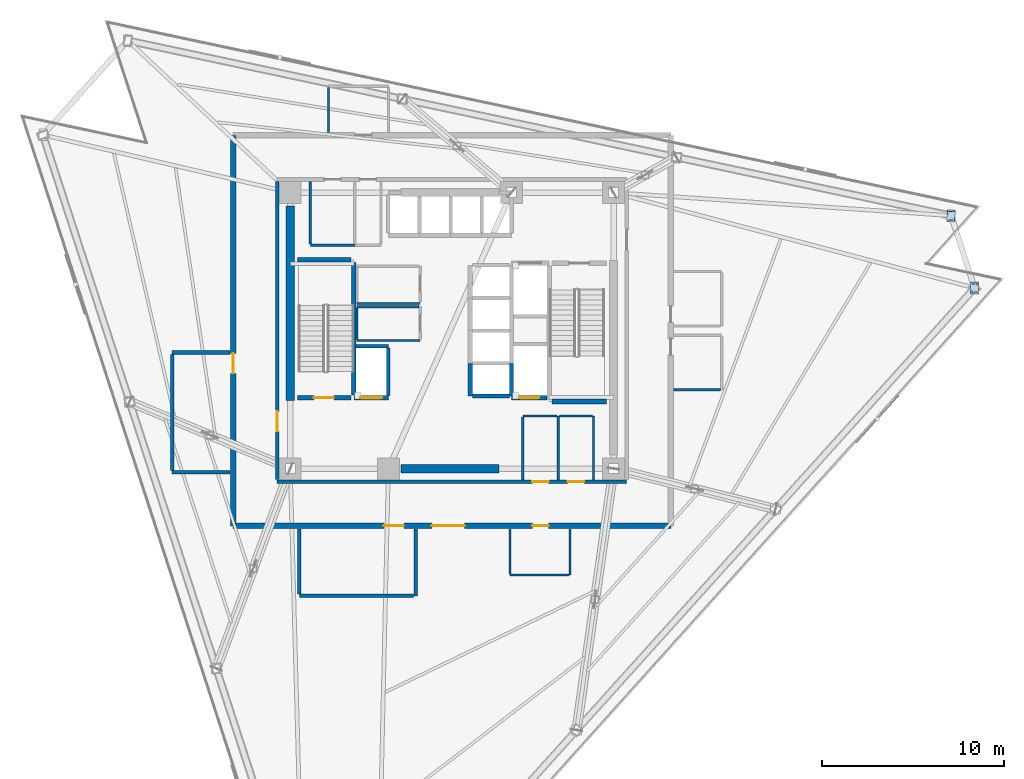
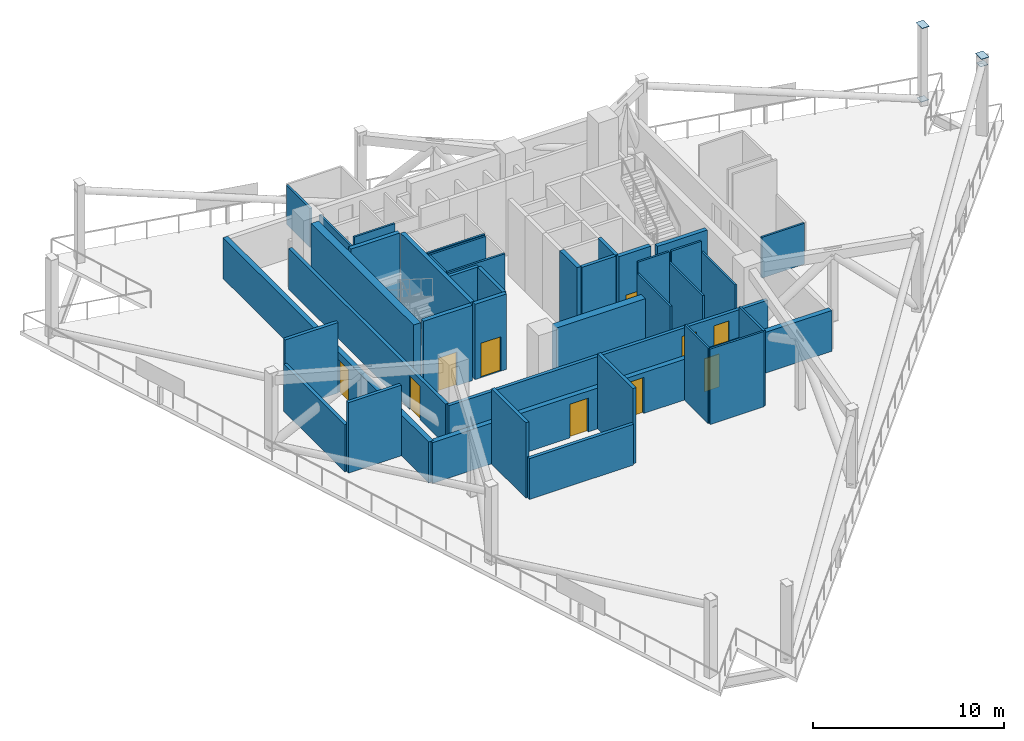
# One storey, part 7 of 15: 39 walls, 10 doors, 4 plates, 10 openings.
"""IFC4 building model written with IfcOpenShell, lengths in metres."""

from ifc_helpers import new_model, si_unit, direction, frame, frame_2d, origin, origin_2d, place, context, subcontext, project, spatial, rectangle, extrude, material, layer, layer_set, type_object, element, fill, save


model = new_model("IFC4")

# Units and contexts
model_context = context("Model", 3, precision=1e-05, world=origin(), true_north=direction((0.0, 1.0)))
body_context = subcontext(model_context, "Body", "Model", "MODEL_VIEW")
ifc_project = project(units=[si_unit("LENGTHUNIT", "METRE"), si_unit("AREAUNIT", "SQUARE_METRE"), si_unit("VOLUMEUNIT", "CUBIC_METRE"), si_unit("PLANEANGLEUNIT", "RADIAN"), si_unit("MASSUNIT", "GRAM", prefix="KILO")], contexts=[model_context])

# Site, building, storey
site_placement = place(None, origin())
site = spatial("IfcSite", under=ifc_project, at=site_placement, CompositionType="ELEMENT")
building_placement = place(site_placement, origin())
building = spatial("IfcBuilding", under=site, at=building_placement, Name="Tharavind Bronze Gate", CompositionType="ELEMENT")
storey_placement = place(building_placement, frame((0.0, 0.0, 222.050048828125)))
storey = spatial("IfcBuildingStorey", under=building, at=storey_placement, Name="L57", CompositionType="ELEMENT", Elevation=222.050048828125)

# Plates
ifc_material_1 = material(Name="Steel S460", Category="steel")
ifc_layer_1 = layer(ifc_material_1, 0.02490234375)
ifc_layer_set_1 = layer_set([ifc_layer_1], Name="Steel S460")
plate_type_1 = type_object("IfcPlateType", Name="STEEL END CAP SHEET 25", PredefinedType="SHEET", material=ifc_layer_set_1)
for number, where, z_axis, x_axis, name in (
    (1, (28.772705078125, 2.34716796875, 4.987548828125), (0.0, 0.0, 1.0), (1.0, 0.0, 0.0), "Steel end cap plate CAP-COLT-L57-S2C4"),
    (2, (27.478515625, 6.330078125, 4.987548828125), (0.0, 0.0, 1.0), (1.0, 0.0, 0.0), "Steel end cap plate CAP-COLT-L57-S3C1"),
):
    element("IfcPlate", number, at=place(storey_placement, frame(where, z_axis=z_axis, x_axis=x_axis)), inside=storey, type_object=plate_type_1, Name=name, PredefinedType="SHEET", context=body_context, shape_type="SweptSolid", body=[
        extrude(rectangle(XDim=0.445068359375, YDim=0.64501953125, at=origin_2d()), origin(), (0.0, 0.0, 1.0), 0.02490234375),
    ])
ifc_material_2 = material(Name="Steel S355", Category="steel")
ifc_layer_2 = layer(ifc_material_2, 0.02490234375)
ifc_layer_set_2 = layer_set([ifc_layer_2], Name="Steel S355")
plate_type_2 = type_object("IfcPlateType", Name="STEEL END CAP SHEET S355 25", PredefinedType="SHEET", material=ifc_layer_set_2)
for number, where, z_axis, x_axis, name in (
    (3, (28.772705078125, 2.34716796875, 4.447509765625), (0.0, 0.0, 1.0), (1.0, 0.0, 0.0), "Steel end cap plate CAP-L57-BLT2-3B"),
    (4, (27.478515625, 6.330078125, 0.237548828125), (0.0, 0.0, 1.0), (1.0, 0.0, 0.0), "Steel end cap plate CAP-L57-BLT3-1A"),
):
    element("IfcPlate", number, at=place(storey_placement, frame(where, z_axis=z_axis, x_axis=x_axis)), inside=storey, type_object=plate_type_2, Name=name, PredefinedType="SHEET", context=body_context, shape_type="SweptSolid", body=[
        extrude(rectangle(XDim=0.451416015625, YDim=0.451416015625, at=origin_2d()), origin(), (0.0, 0.0, 1.0), 0.02490234375),
    ])

# Wall, openings, doors
ifc_material_3 = material(Name="Concrete C40/50", Category="concrete")
ifc_layer_3 = layer(ifc_material_3, 0.300048828125)
ifc_layer_set_3 = layer_set([ifc_layer_3], Name="Concrete C40/50")
wall_type_1 = type_object("IfcWallType", Name="EXTERIOR SPANDREL WALL 300", PredefinedType="STANDARD", material=ifc_layer_set_3)
wall_1_placement = place(storey_placement, frame((-12.050048828125, -10.75, 0.0), z_axis=(0.0, 0.0, 1.0), x_axis=(1.0, 0.0, 0.0)))
wall_1 = element("IfcWall", 5, at=wall_1_placement, inside=storey, type_object=wall_type_1, Name="L57 open wind floor core enclosure wall 1", PredefinedType="STANDARD", context=body_context, shape_type="SweptSolid", body=[
    extrude(rectangle(XDim=24.10009765625, YDim=0.300048828125, at=frame_2d((12.050048828125, 0.0))), origin(), (0.0, 0.0, 1.0), 2.60498046875),
])
opening_1_placement = place(wall_1_placement, frame((10.949951171875, 0.0, 0.0)))
opening_1 = element("IfcOpeningElement", 6, at=opening_1_placement, cuts=wall_1, Name="Opening ED03", PredefinedType="OPENING", context=body_context, shape_type="SweptSolid", body=[
    extrude(rectangle(XDim=1.800048828125, YDim=2.300048828125, at=frame_2d((0.89990234375, 1.14990234375))), frame((0.0, 0.15990234375, 0.0), z_axis=(0.0, -1.0, 0.0), x_axis=(1.0, 0.0, 0.0)), (0.0, 0.0, 1.0), 0.320048828125),
])
opening_2_placement = place(wall_1_placement, frame((8.300048828125, 0.0, 0.0)))
opening_2 = element("IfcOpeningElement", 7, at=opening_2_placement, cuts=wall_1, Name="Opening ID01", PredefinedType="OPENING", context=body_context, shape_type="SweptSolid", body=[
    extrude(rectangle(XDim=1.10009765625, YDim=2.14990234375, at=frame_2d((0.550048828125, 1.074951171875))), frame((0.0, 0.15990234375, 0.0), z_axis=(0.0, -1.0, 0.0), x_axis=(1.0, 0.0, 0.0)), (0.0, 0.0, 1.0), 0.320048828125),
])
opening_3_placement = place(wall_1_placement, frame((16.47705078125, 0.0, 0.0)))
opening_3 = element("IfcOpeningElement", 8, at=opening_3_placement, cuts=wall_1, Name="Opening ID07", PredefinedType="OPENING", context=body_context, shape_type="SweptSolid", body=[
    extrude(rectangle(XDim=0.89990234375, YDim=2.10009765625, at=frame_2d((0.449951171875, 1.050048828125))), frame((0.0, 0.15990234375, 0.0), z_axis=(0.0, -1.0, 0.0), x_axis=(1.0, 0.0, 0.0)), (0.0, 0.0, 1.0), 0.320048828125),
])
ifc_material_4 = material(Name="Bronze Aluminium & Toughened Glass", Category="aluminium")
door_type_1 = type_object("IfcDoorType", Name="GLAZED TERRACE ACCESS DOOR 1800X2300", OperationType="DOUBLE_DOOR_SINGLE_SWING", PredefinedType="DOOR", material=ifc_material_4)
door_1_placement = place(opening_1_placement, frame((1.800048828125, 0.0, 0.0), z_axis=(0.0, 0.0, 1.0), x_axis=(-1.0, 0.0, 0.0)))
door_1 = element("IfcDoor", 9, at=door_1_placement, inside=storey, type_object=door_type_1, Name="L57 open wind terrace access door", OperationType="DOUBLE_DOOR_SINGLE_SWING", OverallHeight=2.300048828125, OverallWidth=1.800048828125, PredefinedType="DOOR", context=body_context, shape_type="SweptSolid", body=[
    extrude(rectangle(XDim=1.800048828125, YDim=2.300048828125, at=frame_2d((0.89990234375, 1.14990234375))), frame((0.0, 0.02490234375, 0.0), z_axis=(0.0, -1.0, 0.0), x_axis=(1.0, 0.0, 0.0)), (0.0, 0.0, 1.0), 0.050048828125),
])
fill(opening_1, door_1)
ifc_material_5 = material(Name="Galvanised Fire Steel", Category="steel")
door_type_2 = type_object("IfcDoorType", Name="PLANT AND RISER FIRE DOOR 900X2100", OperationType="SINGLE_SWING_LEFT", PredefinedType="DOOR", material=ifc_material_5)
door_2_placement = place(opening_3_placement, origin())
door_2 = element("IfcDoor", 10, at=door_2_placement, inside=storey, type_object=door_type_2, Name="L57 Sprinkler Water Tank Room door", OperationType="SINGLE_SWING_LEFT", OverallHeight=2.10009765625, OverallWidth=0.89990234375, PredefinedType="DOOR", context=body_context, shape_type="SweptSolid", body=[
    extrude(rectangle(XDim=0.89990234375, YDim=2.10009765625, at=frame_2d((0.449951171875, 1.050048828125))), frame((0.0, 0.02490234375, 0.0), z_axis=(0.0, -1.0, 0.0), x_axis=(1.0, 0.0, 0.0)), (0.0, 0.0, 1.0), 0.050048828125),
])
fill(opening_3, door_2)
ifc_material_6 = material(Name="Fire-Rated Steel", Category="steel")
door_type_3 = type_object("IfcDoorType", Name="STAIR CORE FIRE DOOR 1100X2150", OperationType="SINGLE_SWING_LEFT", PredefinedType="DOOR", material=ifc_material_6)
door_3_placement = place(opening_2_placement, origin())
door_3 = element("IfcDoor", 11, at=door_3_placement, inside=storey, type_object=door_type_3, Name="L57 South Designated Area of Refuge door", OperationType="SINGLE_SWING_LEFT", OverallHeight=2.14990234375, OverallWidth=1.10009765625, PredefinedType="DOOR", context=body_context, shape_type="SweptSolid", body=[
    extrude(rectangle(XDim=1.10009765625, YDim=2.14990234375, at=frame_2d((0.550048828125, 1.074951171875))), frame((0.0, 0.02490234375, 0.0), z_axis=(0.0, -1.0, 0.0), x_axis=(1.0, 0.0, 0.0)), (0.0, 0.0, 1.0), 0.050048828125),
])
fill(opening_2, door_3)

# Wall, opening, door
wall_2_placement = place(storey_placement, frame((-12.050048828125, 10.75, 0.0), z_axis=(0.0, 0.0, 1.0), x_axis=(0.0, -1.0, 0.0)))
wall_2 = element("IfcWall", 12, at=wall_2_placement, inside=storey, type_object=wall_type_1, Name="L57 open wind floor core enclosure wall 4", PredefinedType="STANDARD", context=body_context, shape_type="SweptSolid", body=[
    extrude(rectangle(XDim=21.5, YDim=0.300048828125, at=frame_2d((10.75, 0.0))), origin(), (0.0, 0.0, 1.0), 2.60498046875),
])
opening_4_placement = place(wall_2_placement, frame((12.0, 0.0, 0.0)))
opening_4 = element("IfcOpeningElement", 13, at=opening_4_placement, cuts=wall_2, Name="Opening ID01", PredefinedType="OPENING", context=body_context, shape_type="SweptSolid", body=[
    extrude(rectangle(XDim=1.10009765625, YDim=2.14990234375, at=frame_2d((0.550048828125, 1.074951171875))), frame((0.0, 0.15990234375, 0.0), z_axis=(0.0, -1.0, 0.0), x_axis=(1.0, 0.0, 0.0)), (0.0, 0.0, 1.0), 0.320048828125),
])
door_4_placement = place(opening_4_placement, origin())
door_4 = element("IfcDoor", 14, at=door_4_placement, inside=storey, type_object=door_type_3, Name="L57 West Designated Area of Refuge door", OperationType="SINGLE_SWING_LEFT", OverallHeight=2.14990234375, OverallWidth=1.10009765625, PredefinedType="DOOR", context=body_context, shape_type="SweptSolid", body=[
    extrude(rectangle(XDim=1.10009765625, YDim=2.14990234375, at=frame_2d((0.550048828125, 1.074951171875))), frame((0.0, 0.02490234375, 0.0), z_axis=(0.0, -1.0, 0.0), x_axis=(1.0, 0.0, 0.0)), (0.0, 0.0, 1.0), 0.050048828125),
])
fill(opening_4, door_4)

# Wall, openings, doors
ifc_material_7 = material(Name="Aerated Concrete Block", Category="concrete")
ifc_layer_4 = layer(ifc_material_7, 0.199951171875)
ifc_layer_set_4 = layer_set([ifc_layer_4], Name="Aerated Concrete Block")
wall_type_2 = type_object("IfcWallType", Name="FIRE RATED PARTITION 200", PredefinedType="PARTITIONING", material=ifc_layer_set_4)
wall_3_placement = place(storey_placement, frame((-9.6201171875, -8.320068359375, 0.0), z_axis=(0.0, 0.0, 1.0), x_axis=(1.0, 0.0, 0.0)))
wall_3 = element("IfcWall", 15, at=wall_3_placement, inside=storey, type_object=wall_type_2, Name="L57 south core corridor wall", PredefinedType="PARTITIONING", context=body_context, shape_type="SweptSolid", body=[
    extrude(rectangle(XDim=19.240234375, YDim=0.199951171875, at=frame_2d((9.6201171875, 0.0))), origin(), (0.0, 0.0, 1.0), 2.60498046875),
])
opening_5_placement = place(wall_3_placement, frame((14.044921875, 0.0, 0.0)))
opening_5 = element("IfcOpeningElement", 16, at=opening_5_placement, cuts=wall_3, Name="Opening ID07", PredefinedType="OPENING", context=body_context, shape_type="SweptSolid", body=[
    extrude(rectangle(XDim=0.89990234375, YDim=2.10009765625, at=frame_2d((0.449951171875, 1.050048828125))), frame((0.0, 0.11009765625, 0.0), z_axis=(0.0, -1.0, 0.0), x_axis=(1.0, 0.0, 0.0)), (0.0, 0.0, 1.0), 0.219951171875),
])
opening_6_placement = place(wall_3_placement, frame((15.9951171875, 0.0, 0.0)))
opening_6 = element("IfcOpeningElement", 17, at=opening_6_placement, cuts=wall_3, Name="Opening ID07", PredefinedType="OPENING", context=body_context, shape_type="SweptSolid", body=[
    extrude(rectangle(XDim=0.89990234375, YDim=2.10009765625, at=frame_2d((0.449951171875, 1.050048828125))), frame((0.0, 0.11009765625, 0.0), z_axis=(0.0, -1.0, 0.0), x_axis=(1.0, 0.0, 0.0)), (0.0, 0.0, 1.0), 0.219951171875),
])
door_5_placement = place(opening_5_placement, origin())
door_5 = element("IfcDoor", 18, at=door_5_placement, inside=storey, type_object=door_type_2, Name="L57 Fire Pump Switch Room fire door", OperationType="SINGLE_SWING_LEFT", OverallHeight=2.10009765625, OverallWidth=0.89990234375, PredefinedType="DOOR", context=body_context, shape_type="SweptSolid", body=[
    extrude(rectangle(XDim=0.89990234375, YDim=2.10009765625, at=frame_2d((0.449951171875, 1.050048828125))), frame((0.0, 0.02490234375, 0.0), z_axis=(0.0, -1.0, 0.0), x_axis=(1.0, 0.0, 0.0)), (0.0, 0.0, 1.0), 0.050048828125),
])
fill(opening_5, door_5)
door_6_placement = place(opening_6_placement, origin())
door_6 = element("IfcDoor", 19, at=door_6_placement, inside=storey, type_object=door_type_2, Name="L57 Break Water Tank Room fire door", OperationType="SINGLE_SWING_LEFT", OverallHeight=2.10009765625, OverallWidth=0.89990234375, PredefinedType="DOOR", context=body_context, shape_type="SweptSolid", body=[
    extrude(rectangle(XDim=0.89990234375, YDim=2.10009765625, at=frame_2d((0.449951171875, 1.050048828125))), frame((0.0, 0.02490234375, 0.0), z_axis=(0.0, -1.0, 0.0), x_axis=(1.0, 0.0, 0.0)), (0.0, 0.0, 1.0), 0.050048828125),
])
fill(opening_6, door_6)

# Wall, opening, door
wall_4_placement = place(storey_placement, frame((-9.6201171875, 8.199951171875, 0.0), z_axis=(0.0, 0.0, 1.0), x_axis=(0.0, -1.0, 0.0)))
wall_4 = element("IfcWall", 20, at=wall_4_placement, inside=storey, type_object=wall_type_2, Name="L57 west core corridor wall", PredefinedType="PARTITIONING", context=body_context, shape_type="SweptSolid", body=[
    extrude(rectangle(XDim=16.39990234375, YDim=0.199951171875, at=frame_2d((8.199951171875, 0.0))), origin(), (0.0, 0.0, 1.0), 2.60498046875),
])
opening_7_placement = place(wall_4_placement, frame((12.64990234375, 0.0, 0.0)))
opening_7 = element("IfcOpeningElement", 21, at=opening_7_placement, cuts=wall_4, Name="Opening ID01", PredefinedType="OPENING", context=body_context, shape_type="SweptSolid", body=[
    extrude(rectangle(XDim=1.10009765625, YDim=2.14990234375, at=frame_2d((0.550048828125, 1.074951171875))), frame((0.0, 0.11009765625, 0.0), z_axis=(0.0, -1.0, 0.0), x_axis=(1.0, 0.0, 0.0)), (0.0, 0.0, 1.0), 0.219951171875),
])
door_7_placement = place(opening_7_placement, frame((1.10009765625, 0.0, 0.0), z_axis=(0.0, 0.0, 1.0), x_axis=(-1.0, 0.0, 0.0)))
door_7 = element("IfcDoor", 22, at=door_7_placement, inside=storey, type_object=door_type_3, Name="L57 south west stair lobby fire door", OperationType="SINGLE_SWING_LEFT", OverallHeight=2.14990234375, OverallWidth=1.10009765625, PredefinedType="DOOR", context=body_context, shape_type="SweptSolid", body=[
    extrude(rectangle(XDim=1.10009765625, YDim=2.14990234375, at=frame_2d((0.550048828125, 1.074951171875))), frame((0.0, 0.02490234375, 0.0), z_axis=(0.0, -1.0, 0.0), x_axis=(1.0, 0.0, 0.0)), (0.0, 0.0, 1.0), 0.050048828125),
])
fill(opening_7, door_7)

# Walls
for number, where, z_axis, x_axis, name in (
    (23, (-15.39990234375, -1.199951171875, 0.0), (0.0, 0.0, 1.0), (1.0, 0.0, 0.0), "L57 West Designated Area of Refuge partition"),
    (24, (-12.205078125, -7.800048828125, 0.0), (0.0, 0.0, 1.0), (-1.0, 0.0, 0.0), "L57 West Designated Area of Refuge partition"),
):
    element("IfcWall", number, at=place(storey_placement, frame(where, z_axis=z_axis, x_axis=x_axis)), inside=storey, type_object=wall_type_2, Name=name, PredefinedType="PARTITIONING", context=body_context, shape_type="SweptSolid", body=[
        extrude(rectangle(XDim=3.19482421875, YDim=0.199951171875, at=frame_2d((1.597412109375, 0.0))), origin(), (0.0, 0.0, 1.0), 4.5048828125),
    ])
wall_5_placement = place(storey_placement, frame((-15.39990234375, -7.695068359375, 0.0), z_axis=(0.0, 0.0, 1.0), x_axis=(0.0, 1.0, 0.0)))
element("IfcWall", 25, at=wall_5_placement, inside=storey, type_object=wall_type_2, Name="L57 West Designated Area of Refuge partition", PredefinedType="PARTITIONING", context=body_context, shape_type="SweptSolid", body=[
    extrude(rectangle(XDim=6.39013671875, YDim=0.199951171875, at=frame_2d((3.195068359375, 0.0))), origin(), (0.0, 0.0, 1.0), 3.0048828125),
])
wall_6_placement = place(storey_placement, frame((-2.0, -10.905029296875, 0.0), z_axis=(0.0, 0.0, 1.0), x_axis=(0.0, -1.0, 0.0)))
element("IfcWall", 26, at=wall_6_placement, inside=storey, type_object=wall_type_2, Name="L57 South Designated Area of Refuge partition", PredefinedType="PARTITIONING", context=body_context, shape_type="SweptSolid", body=[
    extrude(rectangle(XDim=3.695068359375, YDim=0.199951171875, at=frame_2d((1.84765625, 0.0))), origin(), (0.0, 0.0, 1.0), 4.81005859375),
])
wall_7_placement = place(storey_placement, frame((-2.10498046875, -14.60009765625, 0.0), z_axis=(0.0, 0.0, 1.0), x_axis=(-1.0, 0.0, 0.0)))
element("IfcWall", 27, at=wall_7_placement, inside=storey, type_object=wall_type_2, Name="L57 South Designated Area of Refuge partition", PredefinedType="PARTITIONING", context=body_context, shape_type="SweptSolid", body=[
    extrude(rectangle(XDim=6.294921875, YDim=0.199951171875, at=frame_2d((3.1474609375, 0.0))), origin(), (0.0, 0.0, 1.0), 2.60498046875),
])
wall_8_placement = place(storey_placement, frame((-8.39990234375, -14.4951171875, 0.0), z_axis=(0.0, 0.0, 1.0), x_axis=(0.0, 1.0, 0.0)))
element("IfcWall", 28, at=wall_8_placement, inside=storey, type_object=wall_type_2, Name="L57 South Designated Area of Refuge partition", PredefinedType="PARTITIONING", context=body_context, shape_type="SweptSolid", body=[
    extrude(rectangle(XDim=3.590087890625, YDim=0.199951171875, at=frame_2d((1.794921875, 0.0))), origin(), (0.0, 0.0, 1.0), 4.81005859375),
])
ifc_material_8 = material(Name="Metal Stud Gypsum Partition", Category="gypsum")
ifc_layer_5 = layer(ifc_material_8, 0.1201171875)
ifc_layer_set_5 = layer_set([ifc_layer_5], Name="Metal Stud Gypsum Partition")
wall_type_3 = type_object("IfcWallType", Name="INTERIOR PARTITION WALL 120", PredefinedType="PARTITIONING", material=ifc_layer_set_5)
for number, where, z_axis, x_axis, name in (
    (29, (-5.219970703125, 1.5, 0.0), (0.0, 0.0, 1.0), (1.0, 0.0, 0.0), "L57 Core MEP Switchgear Room partition 1"),
    (30, (-5.219970703125, -0.550048828125, 0.0), (0.0, 0.0, 1.0), (1.0, 0.0, 0.0), "L57 Core Mechanical Valve Plant partition 1"),
):
    element("IfcWall", number, at=place(storey_placement, frame(where, z_axis=z_axis, x_axis=x_axis)), inside=storey, type_object=wall_type_3, Name=name, PredefinedType="PARTITIONING", context=body_context, shape_type="SweptSolid", body=[
        extrude(rectangle(XDim=3.469970703125, YDim=0.1201171875, at=frame_2d((1.73486328125, 0.0))), origin(), (0.0, 0.0, 1.0), 4.81005859375),
    ])
wall_9_placement = place(storey_placement, frame((-1.81494140625, 1.320068359375, 0.0), z_axis=(0.0, 0.0, 1.0), x_axis=(-1.0, 0.0, 0.0)))
element("IfcWall", 31, at=wall_9_placement, inside=storey, type_object=wall_type_3, Name="L57 Core Mechanical Valve Plant partition 3", PredefinedType="PARTITIONING", context=body_context, shape_type="SweptSolid", body=[
    extrude(rectangle(XDim=3.405029296875, YDim=0.1201171875, at=frame_2d((1.70263671875, 0.0))), origin(), (0.0, 0.0, 1.0), 4.81005859375),
])
wall_10_placement = place(storey_placement, frame((-5.219970703125, 1.2548828125, 0.0), z_axis=(0.0, 0.0, 1.0), x_axis=(0.0, -1.0, 0.0)))
element("IfcWall", 32, at=wall_10_placement, inside=storey, type_object=wall_type_3, Name="L57 Core Mechanical Valve Plant partition 4", PredefinedType="PARTITIONING", context=body_context, shape_type="SweptSolid", body=[
    extrude(rectangle(XDim=1.739990234375, YDim=0.1201171875, at=frame_2d((0.8701171875, 0.0))), origin(), (0.0, 0.0, 1.0), 4.81005859375),
])
wall_11_placement = place(storey_placement, frame((-7.800048828125, 4.699951171875, 0.0), z_axis=(0.0, 0.0, 1.0), x_axis=(1.0, 0.0, 0.0)))
element("IfcWall", 33, at=wall_11_placement, inside=storey, type_object=wall_type_3, Name="L57 MEP Switchgear Room partition 1", PredefinedType="PARTITIONING", context=body_context, shape_type="SweptSolid", body=[
    extrude(rectangle(XDim=2.449951171875, YDim=0.1201171875, at=frame_2d((1.22509765625, 0.0))), origin(), (0.0, 0.0, 1.0), 4.81005859375),
])
wall_12_placement = place(storey_placement, frame((-7.800048828125, 8.215087890625, 0.0), z_axis=(0.0, 0.0, 1.0), x_axis=(0.0, -1.0, 0.0)))
element("IfcWall", 34, at=wall_12_placement, inside=storey, type_object=wall_type_3, Name="L57 MEP Switchgear Room partition 4", PredefinedType="PARTITIONING", context=body_context, shape_type="SweptSolid", body=[
    extrude(rectangle(XDim=3.4501953125, YDim=0.1201171875, at=frame_2d((1.72509765625, 0.0))), origin(), (0.0, 0.0, 1.0), 4.10498046875),
])
wall_13_placement = place(storey_placement, frame((5.85009765625, -8.215087890625, 0.0), z_axis=(0.0, 0.0, 1.0), x_axis=(0.0, 1.0, 0.0)))
element("IfcWall", 35, at=wall_13_placement, inside=storey, type_object=wall_type_3, Name="L57 Fire Pump Switch Room partition 2", PredefinedType="PARTITIONING", context=body_context, shape_type="SweptSolid", body=[
    extrude(rectangle(XDim=3.51513671875, YDim=0.1201171875, at=frame_2d((1.757568359375, 0.0))), origin(), (0.0, 0.0, 1.0), 4.10498046875),
])
wall_14_placement = place(storey_placement, frame((5.784912109375, -4.699951171875, 0.0), z_axis=(0.0, 0.0, 1.0), x_axis=(-1.0, 0.0, 0.0)))
element("IfcWall", 36, at=wall_14_placement, inside=storey, type_object=wall_type_3, Name="L57 Fire Pump Switch Room partition 3", PredefinedType="PARTITIONING", context=body_context, shape_type="SweptSolid", body=[
    extrude(rectangle(XDim=1.885009765625, YDim=0.1201171875, at=frame_2d((0.9423828125, 0.0))), origin(), (0.0, 0.0, 1.0), 4.81005859375),
])
wall_15_placement = place(storey_placement, frame((3.89990234375, -4.764892578125, 0.0), z_axis=(0.0, 0.0, 1.0), x_axis=(0.0, -1.0, 0.0)))
element("IfcWall", 37, at=wall_15_placement, inside=storey, type_object=wall_type_3, Name="L57 Fire Pump Switch Room partition 4", PredefinedType="PARTITIONING", context=body_context, shape_type="SweptSolid", body=[
    extrude(rectangle(XDim=3.4501953125, YDim=0.1201171875, at=frame_2d((1.72509765625, 0.0))), origin(), (0.0, 0.0, 1.0), 4.10498046875),
])
wall_16_placement = place(storey_placement, frame((7.800048828125, -8.215087890625, 0.0), z_axis=(0.0, 0.0, 1.0), x_axis=(0.0, 1.0, 0.0)))
element("IfcWall", 38, at=wall_16_placement, inside=storey, type_object=wall_type_3, Name="L57 Break Water Tank Room partition 2", PredefinedType="PARTITIONING", context=body_context, shape_type="SweptSolid", body=[
    extrude(rectangle(XDim=3.51513671875, YDim=0.1201171875, at=frame_2d((1.757568359375, 0.0))), origin(), (0.0, 0.0, 1.0), 4.10498046875),
])
wall_17_placement = place(storey_placement, frame((7.735107421875, -4.699951171875, 0.0), z_axis=(0.0, 0.0, 1.0), x_axis=(-1.0, 0.0, 0.0)))
element("IfcWall", 39, at=wall_17_placement, inside=storey, type_object=wall_type_3, Name="L57 Break Water Tank Room partition 3", PredefinedType="PARTITIONING", context=body_context, shape_type="SweptSolid", body=[
    extrude(rectangle(XDim=1.820068359375, YDim=0.1201171875, at=frame_2d((0.91015625, 0.0))), origin(), (0.0, 0.0, 1.0), 4.81005859375),
])
wall_18_placement = place(storey_placement, frame((14.784912109375, -3.25, 0.0), z_axis=(0.0, 0.0, 1.0), x_axis=(-1.0, 0.0, 0.0)))
element("IfcWall", 40, at=wall_18_placement, inside=storey, type_object=wall_type_3, Name="L57 Pressurisation Mechanical Room partition", PredefinedType="PARTITIONING", context=body_context, shape_type="SweptSolid", body=[
    extrude(rectangle(XDim=2.579833984375, YDim=0.1201171875, at=frame_2d((1.2900390625, 0.0))), origin(), (0.0, 0.0, 1.0), 2.60498046875),
])
wall_19_placement = place(storey_placement, frame((-6.800048828125, 10.905029296875, 0.0), z_axis=(0.0, 0.0, 1.0), x_axis=(0.0, 1.0, 0.0)))
element("IfcWall", 41, at=wall_19_placement, inside=storey, type_object=wall_type_3, Name="L57 Booster Pump Plant Room partition", PredefinedType="PARTITIONING", context=body_context, shape_type="SweptSolid", body=[
    extrude(rectangle(XDim=2.47998046875, YDim=0.1201171875, at=frame_2d((1.239990234375, 0.0))), origin(), (0.0, 0.0, 1.0), 2.5048828125),
])
wall_20_placement = place(storey_placement, frame((6.5, -10.905029296875, 0.0), z_axis=(0.0, 0.0, 1.0), x_axis=(0.0, -1.0, 0.0)))
element("IfcWall", 42, at=wall_20_placement, inside=storey, type_object=wall_type_3, Name="L57 Sprinkler Water Tank Room partition", PredefinedType="PARTITIONING", context=body_context, shape_type="SweptSolid", body=[
    extrude(rectangle(XDim=2.544921875, YDim=0.1201171875, at=frame_2d((1.2724609375, 0.0))), origin(), (0.0, 0.0, 1.0), 4.81005859375),
])
wall_21_placement = place(storey_placement, frame((6.43505859375, -13.449951171875, 0.0), z_axis=(0.0, 0.0, 1.0), x_axis=(-1.0, 0.0, 0.0)))
element("IfcWall", 43, at=wall_21_placement, inside=storey, type_object=wall_type_3, Name="L57 Sprinkler Water Tank Room partition", PredefinedType="PARTITIONING", context=body_context, shape_type="SweptSolid", body=[
    extrude(rectangle(XDim=3.235107421875, YDim=0.1201171875, at=frame_2d((1.61767578125, 0.0))), origin(), (0.0, 0.0, 1.0), 4.81005859375),
])
wall_22_placement = place(storey_placement, frame((3.199951171875, -13.385009765625, 0.0), z_axis=(0.0, 0.0, 1.0), x_axis=(0.0, 1.0, 0.0)))
element("IfcWall", 44, at=wall_22_placement, inside=storey, type_object=wall_type_3, Name="L57 Sprinkler Water Tank Room partition", PredefinedType="PARTITIONING", context=body_context, shape_type="SweptSolid", body=[
    extrude(rectangle(XDim=2.47998046875, YDim=0.1201171875, at=frame_2d((1.239990234375, 0.0))), origin(), (0.0, 0.0, 1.0), 4.81005859375),
])
ifc_material_9 = material(Name="Concrete C50/60", Category="concrete")
ifc_layer_6 = layer(ifc_material_9, 0.25)
ifc_layer_set_6 = layer_set([ifc_layer_6], Name="Concrete C50/60")
wall_type_4 = type_object("IfcWallType", Name="RC CORE SHEAR WALL 250", PredefinedType="SHEAR", material=ifc_layer_set_6)
wall_23_placement = place(storey_placement, frame((-5.39990234375, -3.550048828125, 0.0), z_axis=(0.0, 0.0, 1.0), x_axis=(0.0, 1.0, 0.0)))
element("IfcWall", 45, at=wall_23_placement, inside=storey, type_object=wall_type_4, Name="L57 ST1 shaft east wall", PredefinedType="SHEAR", context=body_context, shape_type="SweptSolid", body=[
    extrude(rectangle(XDim=7.300048828125, YDim=0.25, at=frame_2d((3.64990234375, 0.0))), origin(), (0.0, 0.0, 1.0), 4.81005859375),
])

# Wall, opening, door
wall_24_placement = place(storey_placement, frame((-8.5, -3.699951171875, 0.0), z_axis=(0.0, 0.0, 1.0), x_axis=(1.0, 0.0, 0.0)))
wall_24 = element("IfcWall", 46, at=wall_24_placement, inside=storey, type_object=wall_type_4, Name="L57 ST1 shaft south wall", PredefinedType="SHEAR", context=body_context, shape_type="SweptSolid", body=[
    extrude(rectangle(XDim=2.949951171875, YDim=0.25, at=frame_2d((1.47509765625, 0.0))), origin(), (0.0, 0.0, 1.0), 4.81005859375),
])
opening_8_placement = place(wall_24_placement, frame((0.89990234375, 0.0, 0.0)))
opening_8 = element("IfcOpeningElement", 47, at=opening_8_placement, cuts=wall_24, Name="Opening ID01", PredefinedType="OPENING", context=body_context, shape_type="SweptSolid", body=[
    extrude(rectangle(XDim=1.10009765625, YDim=2.14990234375, at=frame_2d((0.550048828125, 1.074951171875))), frame((0.0, 0.135, 0.0), z_axis=(0.0, -1.0, 0.0), x_axis=(1.0, 0.0, 0.0)), (0.0, 0.0, 1.0), 0.27),
])
door_8_placement = place(opening_8_placement, origin())
door_8 = element("IfcDoor", 48, at=door_8_placement, inside=storey, type_object=door_type_3, Name="L57 exit stair ST1 fire door", OperationType="SINGLE_SWING_LEFT", OverallHeight=2.14990234375, OverallWidth=1.10009765625, PredefinedType="DOOR", context=body_context, shape_type="SweptSolid", body=[
    extrude(rectangle(XDim=1.10009765625, YDim=2.14990234375, at=frame_2d((0.550048828125, 1.074951171875))), frame((0.0, 0.02490234375, 0.0), z_axis=(0.0, -1.0, 0.0), x_axis=(1.0, 0.0, 0.0)), (0.0, 0.0, 1.0), 0.050048828125),
])
fill(opening_8, door_8)

# Walls
wall_25_placement = place(storey_placement, frame((-8.5, 3.89990234375, 0.0), z_axis=(0.0, 0.0, 1.0), x_axis=(1.0, 0.0, 0.0)))
element("IfcWall", 49, at=wall_25_placement, inside=storey, type_object=wall_type_4, Name="L57 ST1 shaft north wall", PredefinedType="SHEAR", context=body_context, shape_type="SweptSolid", body=[
    extrude(rectangle(XDim=2.949951171875, YDim=0.25, at=frame_2d((1.47509765625, 0.0))), origin(), (0.0, 0.0, 1.0), 4.81005859375),
])
wall_26_placement = place(storey_placement, frame((5.5, -3.89990234375, 0.0), z_axis=(0.0, 0.0, 1.0), x_axis=(1.0, 0.0, 0.0)))
element("IfcWall", 50, at=wall_26_placement, inside=storey, type_object=wall_type_4, Name="L57 ST2 shaft south wall", PredefinedType="SHEAR", context=body_context, shape_type="SweptSolid", body=[
    extrude(rectangle(XDim=3.0, YDim=0.25, at=frame_2d((1.5, 0.0))), origin(), (0.0, 0.0, 1.0), 4.81005859375),
])
wall_27_placement = place(storey_placement, frame((1.0, -3.60009765625, 0.0), z_axis=(0.0, 0.0, 1.0), x_axis=(0.0, 1.0, 0.0)))
element("IfcWall", 51, at=wall_27_placement, inside=storey, type_object=wall_type_4, Name="L57 lift PL9 shaft front wall", PredefinedType="SHEAR", context=body_context, shape_type="SweptSolid", body=[
    extrude(rectangle(XDim=1.800048828125, YDim=0.25, at=frame_2d((0.89990234375, 0.0))), origin(), (0.0, 0.0, 1.0), 4.81005859375),
])

# Wall, opening, door
wall_28_placement = place(storey_placement, frame((-5.39990234375, -3.699951171875, 0.0), z_axis=(0.0, 0.0, 1.0), x_axis=(1.0, 0.0, 0.0)))
wall_28 = element("IfcWall", 52, at=wall_28_placement, inside=storey, type_object=wall_type_4, Name="L57 lift FFL1 shaft front wall", PredefinedType="SHEAR", context=body_context, shape_type="SweptSolid", body=[
    extrude(rectangle(XDim=1.89990234375, YDim=0.25, at=frame_2d((0.949951171875, 0.0))), origin(), (0.0, 0.0, 1.0), 4.81005859375),
])
opening_9_placement = place(wall_28_placement, frame((0.35009765625, 0.0, 0.0)))
opening_9 = element("IfcOpeningElement", 53, at=opening_9_placement, cuts=wall_28, Name="Opening LD02", PredefinedType="OPENING", context=body_context, shape_type="SweptSolid", body=[
    extrude(rectangle(XDim=1.199951171875, YDim=2.199951171875, at=frame_2d((0.60009765625, 1.10009765625))), frame((0.0, 0.135, 0.0), z_axis=(0.0, -1.0, 0.0), x_axis=(1.0, 0.0, 0.0)), (0.0, 0.0, 1.0), 0.27),
])
ifc_material_10 = material(Name="Brushed Stainless Steel", Category="steel")
door_type_4 = type_object("IfcDoorType", Name="FIREFIGHTING LIFT LANDING DOOR 1200X2200", OperationType="SLIDING_TO_RIGHT", PredefinedType="DOOR", material=ifc_material_10)
door_9_placement = place(opening_9_placement, origin())
door_9 = element("IfcDoor", 54, at=door_9_placement, inside=storey, type_object=door_type_4, Name="L57 lift FFL1 sliding landing door", OperationType="SLIDING_TO_RIGHT", OverallHeight=2.199951171875, OverallWidth=1.199951171875, PredefinedType="DOOR", context=body_context, shape_type="SweptSolid", body=[
    extrude(rectangle(XDim=1.199951171875, YDim=2.199951171875, at=frame_2d((0.60009765625, 1.10009765625))), frame((0.0, 0.02490234375, 0.0), z_axis=(0.0, -1.0, 0.0), x_axis=(1.0, 0.0, 0.0)), (0.0, 0.0, 1.0), 0.050048828125),
])
fill(opening_9, door_9)

wall_29_placement = place(storey_placement, frame((3.280029296875, -3.699951171875, 0.0), z_axis=(0.0, 0.0, 1.0), x_axis=(1.0, 0.0, 0.0)))
wall_29 = element("IfcWall", 55, at=wall_29_placement, inside=storey, type_object=wall_type_4, Name="L57 lift SVL1 shaft front wall", PredefinedType="SHEAR", context=body_context, shape_type="SweptSolid", body=[
    extrude(rectangle(XDim=1.93994140625, YDim=0.25, at=frame_2d((0.969970703125, 0.0))), origin(), (0.0, 0.0, 1.0), 4.81005859375),
])
opening_10_placement = place(wall_29_placement, frame((0.419921875, 0.0, 0.0)))
opening_10 = element("IfcOpeningElement", 56, at=opening_10_placement, cuts=wall_29, Name="Opening LD01", PredefinedType="OPENING", context=body_context, shape_type="SweptSolid", body=[
    extrude(rectangle(XDim=1.10009765625, YDim=2.199951171875, at=frame_2d((0.550048828125, 1.10009765625))), frame((0.0, 0.135, 0.0), z_axis=(0.0, -1.0, 0.0), x_axis=(1.0, 0.0, 0.0)), (0.0, 0.0, 1.0), 0.27),
])
ifc_material_11 = material(Name="Brushed Bronze Stainless Steel", Category="steel")
door_type_5 = type_object("IfcDoorType", Name="LIFT LANDING SLIDING DOOR 1100X2200", OperationType="SLIDING_TO_LEFT", PredefinedType="DOOR", material=ifc_material_11)
door_10_placement = place(opening_10_placement, origin())
door_10 = element("IfcDoor", 57, at=door_10_placement, inside=storey, type_object=door_type_5, Name="L57 lift SVL1 sliding landing door", OperationType="SLIDING_TO_LEFT", OverallHeight=2.199951171875, OverallWidth=1.10009765625, PredefinedType="DOOR", context=body_context, shape_type="SweptSolid", body=[
    extrude(rectangle(XDim=1.10009765625, YDim=2.199951171875, at=frame_2d((0.550048828125, 1.10009765625))), frame((0.0, 0.02490234375, 0.0), z_axis=(0.0, -1.0, 0.0), x_axis=(1.0, 0.0, 0.0)), (0.0, 0.0, 1.0), 0.050048828125),
])
fill(opening_10, door_10)

# Walls
ifc_material_12 = material(Name="Concrete C60/75", Category="concrete")
ifc_layer_7 = layer(ifc_material_12, 0.449951171875)
ifc_layer_set_7 = layer_set([ifc_layer_7], Name="Concrete C60/75")
wall_type_5 = type_object("IfcWallType", Name="RC CORE SHEAR WALL 450", PredefinedType="SHEAR", material=ifc_layer_set_7)
wall_30_placement = place(storey_placement, frame((-2.800048828125, -7.60009765625, 0.0), z_axis=(0.0, 0.0, 1.0), x_axis=(1.0, 0.0, 0.0)))
element("IfcWall", 58, at=wall_30_placement, inside=storey, type_object=wall_type_5, Name="L57 south core shear wall", PredefinedType="SHEAR", context=body_context, shape_type="SweptSolid", body=[
    extrude(rectangle(XDim=5.380126953125, YDim=0.449951171875, at=frame_2d((2.68994140625, 0.0))), origin(), (0.0, 0.0, 1.0), 4.81005859375),
])
wall_31_placement = place(storey_placement, frame((-8.89990234375, -3.85009765625, 0.0), z_axis=(0.0, 0.0, 1.0), x_axis=(0.0, 1.0, 0.0)))
element("IfcWall", 59, at=wall_31_placement, inside=storey, type_object=wall_type_5, Name="L57 west core shear wall", PredefinedType="SHEAR", context=body_context, shape_type="SweptSolid", body=[
    extrude(rectangle(XDim=10.7001953125, YDim=0.449951171875, at=frame_2d((5.35009765625, 0.0))), origin(), (0.0, 0.0, 1.0), 4.81005859375),
])
ifc_layer_8 = layer(ifc_material_3, 0.199951171875)
ifc_layer_set_8 = layer_set([ifc_layer_8], Name="Concrete C40/50")
wall_type_6 = type_object("IfcWallType", Name="SHAFT ENCLOSURE WALL 200", PredefinedType="PARTITIONING", material=ifc_layer_set_8)
wall_32_placement = place(storey_placement, frame((3.280029296875, -3.60009765625, 0.0), z_axis=(0.0, 0.0, 1.0), x_axis=(0.0, 1.0, 0.0)))
element("IfcWall", 60, at=wall_32_placement, inside=storey, type_object=wall_type_6, Name="L57 lift PL9 shaft E enclosure wall", PredefinedType="PARTITIONING", context=body_context, shape_type="SweptSolid", body=[
    extrude(rectangle(XDim=1.800048828125, YDim=0.199951171875, at=frame_2d((0.89990234375, 0.0))), origin(), (0.0, 0.0, 1.0), 4.81005859375),
])
wall_33_placement = place(storey_placement, frame((1.1298828125, -3.60009765625, 0.0), z_axis=(0.0, 0.0, 1.0), x_axis=(1.0, 0.0, 0.0)))
element("IfcWall", 61, at=wall_33_placement, inside=storey, type_object=wall_type_6, Name="L57 lift PL9 shaft S enclosure wall", PredefinedType="PARTITIONING", context=body_context, shape_type="SweptSolid", body=[
    extrude(rectangle(XDim=2.045166015625, YDim=0.199951171875, at=frame_2d((1.0224609375, 0.0))), origin(), (0.0, 0.0, 1.0), 4.81005859375),
])
wall_34_placement = place(storey_placement, frame((-5.27001953125, -0.85009765625, 0.0), z_axis=(0.0, 0.0, 1.0), x_axis=(1.0, 0.0, 0.0)))
element("IfcWall", 62, at=wall_34_placement, inside=storey, type_object=wall_type_6, Name="L57 lift FFL1 shaft N enclosure wall", PredefinedType="PARTITIONING", context=body_context, shape_type="SweptSolid", body=[
    extrude(rectangle(XDim=1.77001953125, YDim=0.199951171875, at=frame_2d((0.885009765625, 0.0))), origin(), (0.0, 0.0, 1.0), 4.81005859375),
])
wall_35_placement = place(storey_placement, frame((-3.5, -3.570068359375, 0.0), z_axis=(0.0, 0.0, 1.0), x_axis=(0.0, 1.0, 0.0)))
element("IfcWall", 63, at=wall_35_placement, inside=storey, type_object=wall_type_6, Name="L57 lift FFL1 shaft E enclosure wall", PredefinedType="PARTITIONING", context=body_context, shape_type="SweptSolid", body=[
    extrude(rectangle(XDim=2.614990234375, YDim=0.199951171875, at=frame_2d((1.3076171875, 0.0))), origin(), (0.0, 0.0, 1.0), 4.81005859375),
])

save(model, "model.ifc")
